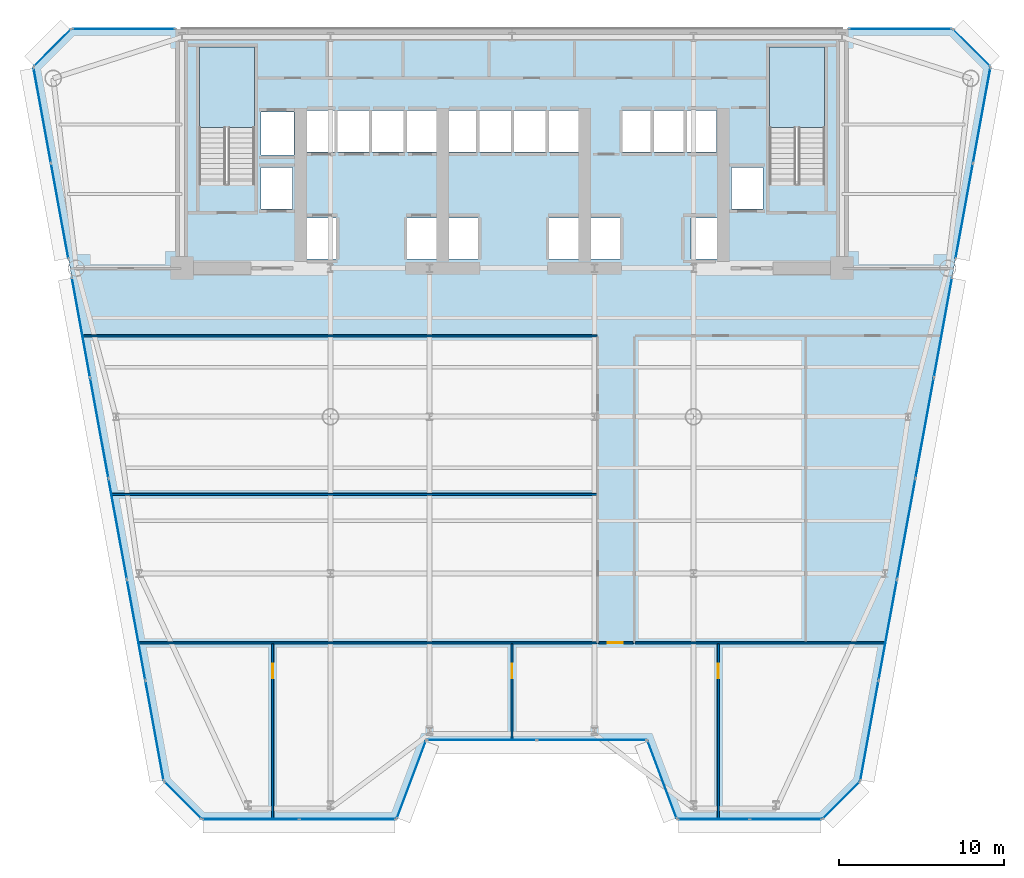
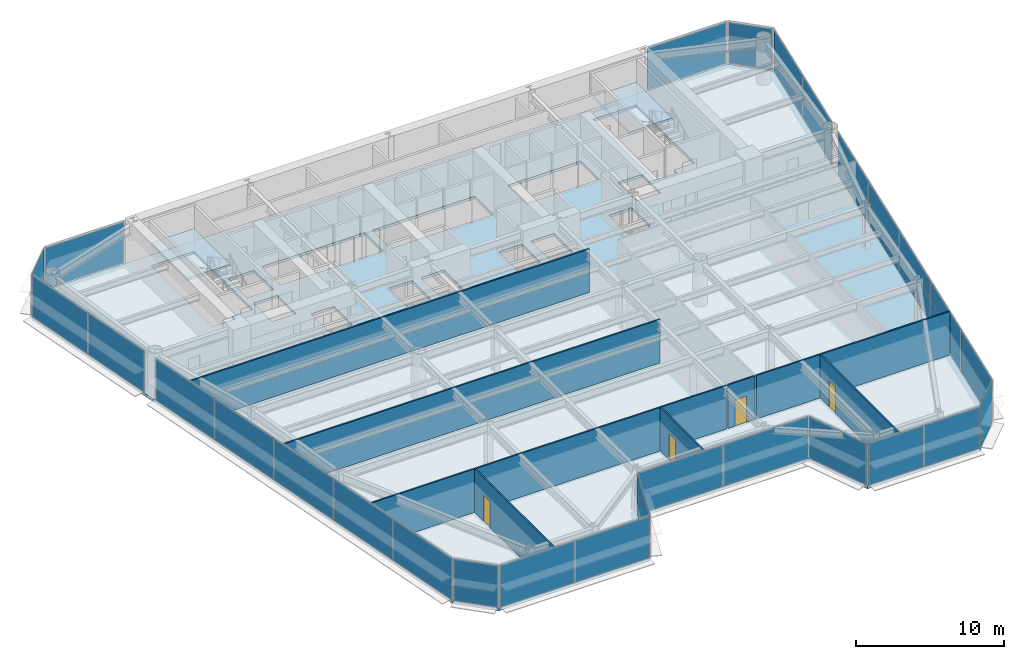
# One storey, part 8 of 15: 28 plates, 8 walls, 4 doors, 3 slabs, 4 openings, 17 elements without a shape of their own.
"""IFC4 building model written with IfcOpenShell, lengths in metres."""

from ifc_helpers import new_model, si_unit, direction, frame, frame_2d, origin, origin_2d, place, context, subcontext, project, spatial, polyline, rectangle, outline, extrude, source, transform, mapped, material, layer, layer_set, type_object, element, fill, aggregate, save


model = new_model("IFC4")

# Units and contexts
model_context = context("Model", 3, precision=1e-05, world=origin(), true_north=direction((0.0, 1.0)))
body_context = subcontext(model_context, "Body", "Model", "MODEL_VIEW")
ifc_project = project(units=[si_unit("LENGTHUNIT", "METRE"), si_unit("AREAUNIT", "SQUARE_METRE"), si_unit("VOLUMEUNIT", "CUBIC_METRE"), si_unit("PLANEANGLEUNIT", "RADIAN"), si_unit("MASSUNIT", "GRAM", prefix="KILO")], contexts=[model_context])

# Site, building, storey
site_placement = place(None, origin())
site = spatial("IfcSite", under=ifc_project, at=site_placement, CompositionType="ELEMENT")
building_placement = place(site_placement, origin())
building = spatial("IfcBuilding", under=site, at=building_placement, Name="Vaeldorn Concourse Tower", CompositionType="ELEMENT")
storey_placement = place(building_placement, frame((0.0, 0.0, 95.800048828125)))
storey = spatial("IfcBuildingStorey", under=building, at=storey_placement, Name="L24", CompositionType="ELEMENT", Elevation=95.800048828125)

# Stair, slab
ifc_material_1 = material(Name="Precast concrete C40/50", Category="concrete")
stair_type = type_object("IfcStairType", Name="STR-DOG-24x158", PredefinedType="HALF_TURN_STAIR", material=ifc_material_1)
stair_1_placement = place(storey_placement, origin())
stair_1 = element("IfcStair", 1, at=stair_1_placement, inside=storey, type_object=stair_type, Name="L24 West Core Exit Stair ST-1", PredefinedType="HALF_TURN_STAIR")
ifc_material_2 = material(Name="Concrete C40/50", Category="concrete")
ifc_layer_1 = layer(ifc_material_2, 0.199951171875)
ifc_layer_set_1 = layer_set([ifc_layer_1], Name="Concrete C40/50")
slab_type_1 = type_object("IfcSlabType", Name="SL-STAIR-LANDING", PredefinedType="LANDING", material=ifc_layer_set_1)
slab_1_placement = place(storey_placement, frame((0.0, 0.0, 1.699951171875)))
slab_1 = element("IfcSlab", 2, at=slab_1_placement, type_object=slab_type_1, Name="ST-1 landing 1", PredefinedType="LANDING", context=body_context, shape_type="SweptSolid", body=[
    extrude(outline(polyline([(18.39990234375, 45.010009765625), (18.39990234375, 49.89990234375), (15.050048828125, 49.89990234375), (15.050048828125, 45.010009765625), (18.39990234375, 45.010009765625)])), origin(), (0.0, 0.0, 1.0), 0.199951171875),
])
aggregate(stair_1, [slab_1])

stair_2_placement = place(storey_placement, origin())
stair_2 = element("IfcStair", 3, at=stair_2_placement, inside=storey, type_object=stair_type, Name="L24 East Core Exit Stair ST-2", PredefinedType="HALF_TURN_STAIR")
slab_2_placement = place(storey_placement, frame((0.0, 0.0, 1.699951171875)))
slab_2 = element("IfcSlab", 4, at=slab_2_placement, type_object=slab_type_1, Name="ST-2 landing 1", PredefinedType="LANDING", context=body_context, shape_type="SweptSolid", body=[
    extrude(outline(polyline([(52.949951171875, 45.010009765625), (52.949951171875, 49.89990234375), (49.60009765625, 49.89990234375), (49.60009765625, 45.010009765625), (52.949951171875, 45.010009765625)])), origin(), (0.0, 0.0, 1.0), 0.199951171875),
])
aggregate(stair_2, [slab_2])

# Slab
ifc_layer_2 = layer(ifc_material_2, 0.219970703125)
ifc_layer_set_2 = layer_set([ifc_layer_2], Name="Concrete C40/50")
slab_type_2 = type_object("IfcSlabType", Name="SL-TYP-220", PredefinedType="FLOOR", material=ifc_layer_set_2)
slab_3_placement = place(storey_placement, frame((0.0, 0.0, -0.219970703125)))
element("IfcSlab", 5, at=slab_3_placement, inside=storey, type_object=slab_type_2, Name="Structural Floor Slab L24", PredefinedType="FLOOR", context=body_context, shape_type="SweptSolid", body=[
    extrude(outline(polyline([(15.2021484375, 3.10791015625), (27.0, 3.10791015625), (28.800048828125, 7.907958984375), (42.199951171875, 7.907958984375), (44.0, 3.10791015625), (52.7978515625, 3.10791015625), (55.097900390625, 5.407958984375), (63.0, 48.699951171875), (60.699951171875, 51.0), (7.300048828125, 51.0), (5.0, 48.699951171875), (12.902099609375, 5.407958984375), (15.2021484375, 3.10791015625)]), holes=[polyline([(18.39990234375, 42.0), (18.39990234375, 49.89990234375), (15.050048828125, 49.89990234375), (15.050048828125, 41.60009765625), (16.800048828125, 41.60009765625), (16.800048828125, 42.0), (18.39990234375, 42.0)]), polyline([(52.949951171875, 42.0), (52.949951171875, 49.89990234375), (49.60009765625, 49.89990234375), (49.60009765625, 41.60009765625), (51.35009765625, 41.60009765625), (51.35009765625, 42.0), (52.949951171875, 42.0)]), polyline([(21.550048828125, 37.050048828125), (23.35009765625, 37.050048828125), (23.35009765625, 39.550048828125), (21.550048828125, 39.550048828125), (21.550048828125, 37.050048828125)]), polyline([(27.64990234375, 37.050048828125), (29.449951171875, 37.050048828125), (29.449951171875, 39.550048828125), (27.64990234375, 39.550048828125), (27.64990234375, 37.050048828125)]), polyline([(21.5, 43.550048828125), (29.5, 43.550048828125), (29.5, 46.050048828125), (21.5, 46.050048828125), (21.5, 43.550048828125)]), polyline([(30.14990234375, 37.050048828125), (31.949951171875, 37.050048828125), (31.949951171875, 39.550048828125), (30.14990234375, 39.550048828125), (30.14990234375, 37.050048828125)]), polyline([(36.25, 37.050048828125), (38.050048828125, 37.050048828125), (38.050048828125, 39.550048828125), (36.25, 39.550048828125), (36.25, 37.050048828125)]), polyline([(30.10009765625, 43.550048828125), (38.10009765625, 43.550048828125), (38.10009765625, 46.050048828125), (30.10009765625, 46.050048828125), (30.10009765625, 43.550048828125)]), polyline([(38.75, 37.050048828125), (40.550048828125, 37.050048828125), (40.550048828125, 39.550048828125), (38.75, 39.550048828125), (38.75, 37.050048828125)]), polyline([(44.85009765625, 37.050048828125), (46.64990234375, 37.050048828125), (46.64990234375, 39.550048828125), (44.85009765625, 39.550048828125), (44.85009765625, 37.050048828125)]), polyline([(40.699951171875, 43.550048828125), (46.39990234375, 43.550048828125), (46.39990234375, 46.050048828125), (40.699951171875, 46.050048828125), (40.699951171875, 43.550048828125)]), polyline([(18.800048828125, 43.35009765625), (20.800048828125, 43.35009765625), (20.800048828125, 45.949951171875), (18.800048828125, 45.949951171875), (18.800048828125, 43.35009765625)]), polyline([(18.800048828125, 40.10009765625), (20.699951171875, 40.10009765625), (20.699951171875, 42.60009765625), (18.800048828125, 42.60009765625), (18.800048828125, 40.10009765625)]), polyline([(47.300048828125, 40.10009765625), (49.199951171875, 40.10009765625), (49.199951171875, 42.60009765625), (47.300048828125, 42.60009765625), (47.300048828125, 40.10009765625)])]), origin(), (0.0, 0.0, 1.0), 0.219970703125),
])

# Curtain wall, plate
ifc_material_3 = material(Name="Anodised Bronze Aluminium", Category="aluminium")
ifc_layer_3 = layer(ifc_material_3, 0.199951171875)
ifc_layer_set_3 = layer_set([ifc_layer_3], Name="Anodised Bronze Aluminium")
curtain_wall_type = type_object("IfcCurtainWallType", Name="CW-SYS-02", PredefinedType="NOTDEFINED", material=ifc_layer_set_3)
curtain_wall_1_placement = place(storey_placement, origin())
curtain_wall_1 = element("IfcCurtainWall", 6, at=curtain_wall_1_placement, inside=storey, type_object=curtain_wall_type, Name="Unitised Curtain Wall CW-L24-E02-1", PredefinedType="NOTDEFINED")
ifc_material_4 = material(Name="Bronze Tinted Low-E Insulated Glass", Category="glass")
ifc_layer_4 = layer(ifc_material_4, 0.031982421875)
ifc_layer_set_4 = layer_set([ifc_layer_4], Name="Bronze Tinted Low-E Insulated Glass")
plate_type = type_object("IfcPlateType", Name="CWP-VISION-32", PredefinedType="CURTAIN_PANEL", material=ifc_layer_set_4)
shared_shape_1 = source(origin(), body_context, "Body", "SweptSolid", [
    extrude(rectangle(XDim=4.976318359375, YDim=0.031982421875, at=origin_2d()), origin(), (0.0, 0.0, 1.0), 3.429931640625),
])
plate_1_placement = place(storey_placement, frame((27.89990234375, 5.508056640625, 0.0751953125), z_axis=(0.0, 0.0, 1.0), x_axis=(0.351123441595, 0.936329177566, 0.0)))
plate_1 = element("IfcPlate", 7, at=plate_1_placement, type_object=plate_type, Name="CW-02 panel 1.1", PredefinedType="CURTAIN_PANEL", context=body_context, shape_type="MappedRepresentation", body=[
    mapped(shared_shape_1, transform((0.0, 0.0, 0.0), scale=1.0)),
])
aggregate(curtain_wall_1, [plate_1])

curtain_wall_2_placement = place(storey_placement, origin())
curtain_wall_2 = element("IfcCurtainWall", 8, at=curtain_wall_2_placement, inside=storey, type_object=curtain_wall_type, Name="Unitised Curtain Wall CW-L24-E04-1", PredefinedType="NOTDEFINED")
plate_2_placement = place(storey_placement, frame((43.10009765625, 5.508056640625, 0.0751953125), z_axis=(0.0, 0.0, 1.0), x_axis=(0.351123441595, -0.936329177566, 0.0)))
plate_2 = element("IfcPlate", 9, at=plate_2_placement, type_object=plate_type, Name="CW-02 panel 1.1", PredefinedType="CURTAIN_PANEL", context=body_context, shape_type="MappedRepresentation", body=[
    mapped(shared_shape_1, transform((0.0, 0.0, 0.0), scale=1.0)),
])
aggregate(curtain_wall_2, [plate_2])

# Curtain wall, plates
curtain_wall_3_placement = place(storey_placement, origin())
curtain_wall_3 = element("IfcCurtainWall", 10, at=curtain_wall_3_placement, inside=storey, type_object=curtain_wall_type, Name="Unitised Curtain Wall CW-L24-E03-1", PredefinedType="NOTDEFINED")
shared_shape_2 = source(origin(), body_context, "Body", "SweptSolid", [
    extrude(rectangle(XDim=6.58740234375, YDim=0.031982421875, at=origin_2d()), origin(), (0.0, 0.0, 1.0), 3.429931640625),
])
plate_3_placement = place(storey_placement, frame((32.168701171875, 7.907958984375, 0.0751953125), z_axis=(0.0, 0.0, 1.0), x_axis=(1.0, 0.0, 0.0)))
plate_3 = element("IfcPlate", 11, at=plate_3_placement, type_object=plate_type, Name="CW-02 panel 1.1", PredefinedType="CURTAIN_PANEL", context=body_context, shape_type="MappedRepresentation", body=[
    mapped(shared_shape_2, transform((0.0, 0.0, 0.0), scale=1.0)),
])
plate_4_placement = place(storey_placement, frame((38.831298828125, 7.907958984375, 0.0751953125), z_axis=(0.0, 0.0, 1.0), x_axis=(1.0, 0.0, 0.0)))
plate_4 = element("IfcPlate", 12, at=plate_4_placement, type_object=plate_type, Name="CW-02 panel 2.1", PredefinedType="CURTAIN_PANEL", context=body_context, shape_type="MappedRepresentation", body=[
    mapped(shared_shape_2, transform((0.0, 0.0, 0.0), scale=1.0)),
])
aggregate(curtain_wall_3, [plate_3, plate_4])

# Curtain wall, plate
curtain_wall_4_placement = place(storey_placement, origin())
curtain_wall_4 = element("IfcCurtainWall", 13, at=curtain_wall_4_placement, inside=storey, type_object=curtain_wall_type, Name="Unitised Curtain Wall CW-L24-E06-1", PredefinedType="NOTDEFINED")
shared_shape_3 = source(origin(), body_context, "Body", "SweptSolid", [
    extrude(rectangle(XDim=3.102783203125, YDim=0.031982421875, at=origin_2d()), origin(), (0.0, 0.0, 1.0), 3.429931640625),
])
plate_5_placement = place(storey_placement, frame((53.94775390625, 4.258056640625, 0.0751953125), z_axis=(0.0, 0.0, 1.0), x_axis=(0.707106781187, 0.707106781187, 0.0)))
plate_5 = element("IfcPlate", 14, at=plate_5_placement, type_object=plate_type, Name="CW-02 panel 1.1", PredefinedType="CURTAIN_PANEL", context=body_context, shape_type="MappedRepresentation", body=[
    mapped(shared_shape_3, transform((0.0, 0.0, 0.0), scale=1.0)),
])
aggregate(curtain_wall_4, [plate_5])

curtain_wall_5_placement = place(storey_placement, origin())
curtain_wall_5 = element("IfcCurtainWall", 15, at=curtain_wall_5_placement, inside=storey, type_object=curtain_wall_type, Name="Unitised Curtain Wall CW-L24-E08-1", PredefinedType="NOTDEFINED")
plate_6_placement = place(storey_placement, frame((61.85009765625, 49.85009765625, 0.0751953125), z_axis=(0.0, 0.0, 1.0), x_axis=(-0.707106781187, 0.707106781187, 0.0)))
plate_6 = element("IfcPlate", 16, at=plate_6_placement, type_object=plate_type, Name="CW-02 panel 1.1", PredefinedType="CURTAIN_PANEL", context=body_context, shape_type="MappedRepresentation", body=[
    mapped(shared_shape_3, transform((0.0, 0.0, 0.0), scale=1.0)),
])
aggregate(curtain_wall_5, [plate_6])

curtain_wall_6_placement = place(storey_placement, origin())
curtain_wall_6 = element("IfcCurtainWall", 17, at=curtain_wall_6_placement, inside=storey, type_object=curtain_wall_type, Name="Unitised Curtain Wall CW-L24-E10-1", PredefinedType="NOTDEFINED")
plate_7_placement = place(storey_placement, frame((6.14990234375, 49.85009765625, 0.0751953125), z_axis=(0.0, 0.0, 1.0), x_axis=(-0.707106781187, -0.707106781187, 0.0)))
plate_7 = element("IfcPlate", 18, at=plate_7_placement, type_object=plate_type, Name="CW-02 panel 1.1", PredefinedType="CURTAIN_PANEL", context=body_context, shape_type="MappedRepresentation", body=[
    mapped(shared_shape_3, transform((0.0, 0.0, 0.0), scale=1.0)),
])
aggregate(curtain_wall_6, [plate_7])

curtain_wall_7_placement = place(storey_placement, origin())
curtain_wall_7 = element("IfcCurtainWall", 19, at=curtain_wall_7_placement, inside=storey, type_object=curtain_wall_type, Name="Unitised Curtain Wall CW-L24-E12-1", PredefinedType="NOTDEFINED")
plate_8_placement = place(storey_placement, frame((14.05224609375, 4.258056640625, 0.0751953125), z_axis=(0.0, 0.0, 1.0), x_axis=(0.707106781187, -0.707106781187, 0.0)))
plate_8 = element("IfcPlate", 20, at=plate_8_placement, type_object=plate_type, Name="CW-02 panel 1.1", PredefinedType="CURTAIN_PANEL", context=body_context, shape_type="MappedRepresentation", body=[
    mapped(shared_shape_3, transform((0.0, 0.0, 0.0), scale=1.0)),
])
aggregate(curtain_wall_7, [plate_8])

# Curtain wall, plates
curtain_wall_8_placement = place(storey_placement, origin())
curtain_wall_8 = element("IfcCurtainWall", 21, at=curtain_wall_8_placement, inside=storey, type_object=curtain_wall_type, Name="Unitised Curtain Wall CW-L24-E01-1", PredefinedType="NOTDEFINED")
shared_shape_4 = source(origin(), body_context, "Body", "SweptSolid", [
    extrude(rectangle(XDim=5.786376953125, YDim=0.031982421875, at=origin_2d()), origin(), (0.0, 0.0, 1.0), 3.429931640625),
])
plate_9_placement = place(storey_placement, frame((18.17041015625, 3.10791015625, 0.0751953125), z_axis=(0.0, 0.0, 1.0), x_axis=(1.0, 0.0, 0.0)))
plate_9 = element("IfcPlate", 22, at=plate_9_placement, type_object=plate_type, Name="CW-02 panel 1.1", PredefinedType="CURTAIN_PANEL", context=body_context, shape_type="MappedRepresentation", body=[
    mapped(shared_shape_4, transform((0.0, 0.0, 0.0), scale=1.0)),
])
plate_10_placement = place(storey_placement, frame((24.03173828125, 3.10791015625, 0.0751953125), z_axis=(0.0, 0.0, 1.0), x_axis=(1.0, 0.0, 0.0)))
plate_10 = element("IfcPlate", 23, at=plate_10_placement, type_object=plate_type, Name="CW-02 panel 2.1", PredefinedType="CURTAIN_PANEL", context=body_context, shape_type="MappedRepresentation", body=[
    mapped(shared_shape_4, transform((0.0, 0.0, 0.0), scale=1.0)),
])
aggregate(curtain_wall_8, [plate_9, plate_10])

curtain_wall_9_placement = place(storey_placement, origin())
curtain_wall_9 = element("IfcCurtainWall", 24, at=curtain_wall_9_placement, inside=storey, type_object=curtain_wall_type, Name="Unitised Curtain Wall CW-L24-E05-1", PredefinedType="NOTDEFINED")
shared_shape_5 = source(origin(), body_context, "Body", "SweptSolid", [
    extrude(rectangle(XDim=4.286376953125, YDim=0.031982421875, at=origin_2d()), origin(), (0.0, 0.0, 1.0), 3.429931640625),
])
plate_11_placement = place(storey_placement, frame((46.21826171875, 3.10791015625, 0.0751953125), z_axis=(0.0, 0.0, 1.0), x_axis=(1.0, 0.0, 0.0)))
plate_11 = element("IfcPlate", 25, at=plate_11_placement, type_object=plate_type, Name="CW-02 panel 1.1", PredefinedType="CURTAIN_PANEL", context=body_context, shape_type="MappedRepresentation", body=[
    mapped(shared_shape_5, transform((0.0, 0.0, 0.0), scale=1.0)),
])
plate_12_placement = place(storey_placement, frame((50.57958984375, 3.10791015625, 0.0751953125), z_axis=(0.0, 0.0, 1.0), x_axis=(1.0, 0.0, 0.0)))
plate_12 = element("IfcPlate", 26, at=plate_12_placement, type_object=plate_type, Name="CW-02 panel 2.1", PredefinedType="CURTAIN_PANEL", context=body_context, shape_type="MappedRepresentation", body=[
    mapped(shared_shape_5, transform((0.0, 0.0, 0.0), scale=1.0)),
])
aggregate(curtain_wall_9, [plate_11, plate_12])

# Curtain wall, plate
curtain_wall_10_placement = place(storey_placement, origin())
curtain_wall_10 = element("IfcCurtainWall", 27, at=curtain_wall_10_placement, inside=storey, type_object=curtain_wall_type, Name="Unitised Curtain Wall CW-L24-E09-1", PredefinedType="NOTDEFINED")
shared_shape_6 = source(origin(), body_context, "Body", "SweptSolid", [
    extrude(rectangle(XDim=6.179931640625, YDim=0.031982421875, at=origin_2d()), origin(), (0.0, 0.0, 1.0), 3.429931640625),
])
plate_13_placement = place(storey_placement, frame((57.534912109375, 51.0, 0.0751953125), z_axis=(0.0, 0.0, 1.0), x_axis=(-1.0, 0.0, 0.0)))
plate_13 = element("IfcPlate", 28, at=plate_13_placement, type_object=plate_type, Name="CW-02 panel 1.1", PredefinedType="CURTAIN_PANEL", context=body_context, shape_type="MappedRepresentation", body=[
    mapped(shared_shape_6, transform((0.0, 0.0, 0.0), scale=1.0)),
])
aggregate(curtain_wall_10, [plate_13])

curtain_wall_11_placement = place(storey_placement, origin())
curtain_wall_11 = element("IfcCurtainWall", 29, at=curtain_wall_11_placement, inside=storey, type_object=curtain_wall_type, Name="Unitised Curtain Wall CW-L24-E09-2", PredefinedType="NOTDEFINED")
plate_14_placement = place(storey_placement, frame((10.465087890625, 51.0, 0.0751953125), z_axis=(0.0, 0.0, 1.0), x_axis=(-1.0, 0.0, 0.0)))
plate_14 = element("IfcPlate", 30, at=plate_14_placement, type_object=plate_type, Name="CW-02 panel 1.1", PredefinedType="CURTAIN_PANEL", context=body_context, shape_type="MappedRepresentation", body=[
    mapped(shared_shape_6, transform((0.0, 0.0, 0.0), scale=1.0)),
])
aggregate(curtain_wall_11, [plate_14])

# Curtain wall, plates
curtain_wall_12_placement = place(storey_placement, origin())
curtain_wall_12 = element("IfcCurtainWall", 31, at=curtain_wall_12_placement, inside=storey, type_object=curtain_wall_type, Name="Unitised Curtain Wall CW-L24-E07-1", PredefinedType="NOTDEFINED")
shared_shape_7 = source(origin(), body_context, "Body", "SweptSolid", [
    extrude(rectangle(XDim=6.103271484375, YDim=0.031982421875, at=origin_2d()), origin(), (0.0, 0.0, 1.0), 3.429931640625),
])
plate_15_placement = place(storey_placement, frame((55.6591796875, 8.48388671875, 0.0751953125), z_axis=(0.0, 0.0, 1.0), x_axis=(0.179567215253, 0.983745706576, 0.0)))
plate_15 = element("IfcPlate", 32, at=plate_15_placement, type_object=plate_type, Name="CW-02 panel 1.1", PredefinedType="CURTAIN_PANEL", context=body_context, shape_type="MappedRepresentation", body=[
    mapped(shared_shape_7, transform((0.0, 0.0, 0.0), scale=1.0)),
])
plate_16_placement = place(storey_placement, frame((60.1171875, 32.90625, 0.0751953125), z_axis=(0.0, 0.0, 1.0), x_axis=(0.179567215253, 0.983745706576, 0.0)))
plate_16 = element("IfcPlate", 33, at=plate_16_placement, type_object=plate_type, Name="CW-02 panel 5.1", PredefinedType="CURTAIN_PANEL", context=body_context, shape_type="MappedRepresentation", body=[
    mapped(shared_shape_7, transform((0.0, 0.0, 0.0), scale=1.0)),
])

curtain_wall_13_placement = place(storey_placement, origin())
curtain_wall_13 = element("IfcCurtainWall", 34, at=curtain_wall_13_placement, inside=storey, type_object=curtain_wall_type, Name="Unitised Curtain Wall CW-L24-E11-2", PredefinedType="NOTDEFINED")
plate_17_placement = place(storey_placement, frame((7.8828125, 32.90625, 0.0751953125), z_axis=(0.0, 0.0, 1.0), x_axis=(0.179567215253, -0.983745706576, 0.0)))
plate_17 = element("IfcPlate", 35, at=plate_17_placement, type_object=plate_type, Name="CW-02 panel 1.1", PredefinedType="CURTAIN_PANEL", context=body_context, shape_type="MappedRepresentation", body=[
    mapped(shared_shape_7, transform((0.0, 0.0, 0.0), scale=1.0)),
])
plate_18_placement = place(storey_placement, frame((12.3408203125, 8.48388671875, 0.0751953125), z_axis=(0.0, 0.0, 1.0), x_axis=(0.179567215253, -0.983745706576, 0.0)))
plate_18 = element("IfcPlate", 36, at=plate_18_placement, type_object=plate_type, Name="CW-02 panel 5.1", PredefinedType="CURTAIN_PANEL", context=body_context, shape_type="MappedRepresentation", body=[
    mapped(shared_shape_7, transform((0.0, 0.0, 0.0), scale=1.0)),
])

# Plate
shared_shape_8 = source(origin(), body_context, "Body", "SweptSolid", [
    extrude(rectangle(XDim=6.140869140625, YDim=0.031982421875, at=origin_2d()), origin(), (0.0, 0.0, 1.0), 3.429931640625),
])
plate_19_placement = place(storey_placement, frame((56.77197265625, 14.580078125, 0.0751953125), z_axis=(0.0, 0.0, 1.0), x_axis=(0.179567215253, 0.983745706576, 0.0)))
plate_19 = element("IfcPlate", 37, at=plate_19_placement, type_object=plate_type, Name="CW-02 panel 2.1", PredefinedType="CURTAIN_PANEL", context=body_context, shape_type="MappedRepresentation", body=[
    mapped(shared_shape_8, transform((0.0, 0.0, 0.0), scale=1.0)),
])

plate_20_placement = place(storey_placement, frame((57.88818359375, 20.695068359375, 0.0751953125), z_axis=(0.0, 0.0, 1.0), x_axis=(0.179567215253, 0.983745706576, 0.0)))
plate_20 = element("IfcPlate", 38, at=plate_20_placement, type_object=plate_type, Name="CW-02 panel 3.1", PredefinedType="CURTAIN_PANEL", context=body_context, shape_type="MappedRepresentation", body=[
    mapped(shared_shape_8, transform((0.0, 0.0, 0.0), scale=1.0)),
])

plate_21_placement = place(storey_placement, frame((59.00439453125, 26.809814453125, 0.0751953125), z_axis=(0.0, 0.0, 1.0), x_axis=(0.179567215253, 0.983745706576, 0.0)))
plate_21 = element("IfcPlate", 39, at=plate_21_placement, type_object=plate_type, Name="CW-02 panel 4.1", PredefinedType="CURTAIN_PANEL", context=body_context, shape_type="MappedRepresentation", body=[
    mapped(shared_shape_8, transform((0.0, 0.0, 0.0), scale=1.0)),
])

aggregate(curtain_wall_12, [plate_15, plate_19, plate_20, plate_21, plate_16])

plate_22_placement = place(storey_placement, frame((8.99560546875, 26.809814453125, 0.0751953125), z_axis=(0.0, 0.0, 1.0), x_axis=(0.179567215253, -0.983745706576, 0.0)))
plate_22 = element("IfcPlate", 40, at=plate_22_placement, type_object=plate_type, Name="CW-02 panel 2.1", PredefinedType="CURTAIN_PANEL", context=body_context, shape_type="MappedRepresentation", body=[
    mapped(shared_shape_8, transform((0.0, 0.0, 0.0), scale=1.0)),
])

plate_23_placement = place(storey_placement, frame((10.11181640625, 20.695068359375, 0.0751953125), z_axis=(0.0, 0.0, 1.0), x_axis=(0.179567215253, -0.983745706576, 0.0)))
plate_23 = element("IfcPlate", 41, at=plate_23_placement, type_object=plate_type, Name="CW-02 panel 3.1", PredefinedType="CURTAIN_PANEL", context=body_context, shape_type="MappedRepresentation", body=[
    mapped(shared_shape_8, transform((0.0, 0.0, 0.0), scale=1.0)),
])

plate_24_placement = place(storey_placement, frame((11.22802734375, 14.580078125, 0.0751953125), z_axis=(0.0, 0.0, 1.0), x_axis=(0.179567215253, -0.983745706576, 0.0)))
plate_24 = element("IfcPlate", 42, at=plate_24_placement, type_object=plate_type, Name="CW-02 panel 4.1", PredefinedType="CURTAIN_PANEL", context=body_context, shape_type="MappedRepresentation", body=[
    mapped(shared_shape_8, transform((0.0, 0.0, 0.0), scale=1.0)),
])

aggregate(curtain_wall_13, [plate_17, plate_22, plate_23, plate_24, plate_18])

# Curtain wall, plates
curtain_wall_14_placement = place(storey_placement, origin())
curtain_wall_14 = element("IfcCurtainWall", 43, at=curtain_wall_14_placement, inside=storey, type_object=curtain_wall_type, Name="Unitised Curtain Wall CW-L24-E07-2", PredefinedType="NOTDEFINED")
shared_shape_9 = source(origin(), body_context, "Body", "SweptSolid", [
    extrude(rectangle(XDim=5.824951171875, YDim=0.031982421875, at=origin_2d()), origin(), (0.0, 0.0, 1.0), 3.429931640625),
])
plate_25_placement = place(storey_placement, frame((61.404052734375, 39.95703125, 0.0751953125), z_axis=(0.0, 0.0, 1.0), x_axis=(0.179561976462, 0.98374666282, 0.0)))
plate_25 = element("IfcPlate", 44, at=plate_25_placement, type_object=plate_type, Name="CW-02 panel 1.1", PredefinedType="CURTAIN_PANEL", context=body_context, shape_type="MappedRepresentation", body=[
    mapped(shared_shape_9, transform((0.0, 0.0, 0.0), scale=1.0)),
])
plate_26_placement = place(storey_placement, frame((62.463623046875, 45.760986328125, 0.0751953125), z_axis=(0.0, 0.0, 1.0), x_axis=(0.179561976462, 0.98374666282, 0.0)))
plate_26 = element("IfcPlate", 45, at=plate_26_placement, type_object=plate_type, Name="CW-02 panel 2.1", PredefinedType="CURTAIN_PANEL", context=body_context, shape_type="MappedRepresentation", body=[
    mapped(shared_shape_9, transform((0.0, 0.0, 0.0), scale=1.0)),
])
aggregate(curtain_wall_14, [plate_25, plate_26])

curtain_wall_15_placement = place(storey_placement, origin())
curtain_wall_15 = element("IfcCurtainWall", 46, at=curtain_wall_15_placement, inside=storey, type_object=curtain_wall_type, Name="Unitised Curtain Wall CW-L24-E11-1", PredefinedType="NOTDEFINED")
plate_27_placement = place(storey_placement, frame((5.536376953125, 45.760986328125, 0.0751953125), z_axis=(0.0, 0.0, 1.0), x_axis=(0.179561976462, -0.98374666282, 0.0)))
plate_27 = element("IfcPlate", 47, at=plate_27_placement, type_object=plate_type, Name="CW-02 panel 1.1", PredefinedType="CURTAIN_PANEL", context=body_context, shape_type="MappedRepresentation", body=[
    mapped(shared_shape_9, transform((0.0, 0.0, 0.0), scale=1.0)),
])
plate_28_placement = place(storey_placement, frame((6.595947265625, 39.95703125, 0.0751953125), z_axis=(0.0, 0.0, 1.0), x_axis=(0.179561976462, -0.98374666282, 0.0)))
plate_28 = element("IfcPlate", 48, at=plate_28_placement, type_object=plate_type, Name="CW-02 panel 2.1", PredefinedType="CURTAIN_PANEL", context=body_context, shape_type="MappedRepresentation", body=[
    mapped(shared_shape_9, transform((0.0, 0.0, 0.0), scale=1.0)),
])
aggregate(curtain_wall_15, [plate_27, plate_28])

# Wall
ifc_material_5 = material(Name="Gypsum Board Partition", Category="gypsum")
ifc_layer_5 = layer(ifc_material_5, 0.1201171875)
ifc_layer_set_5 = layer_set([ifc_layer_5], Name="Gypsum Board Partition")
wall_type = type_object("IfcWallType", Name="WL-PART-120", PredefinedType="PARTITIONING", material=ifc_layer_set_5)
wall_1_placement = place(storey_placement, frame((8.015380859375, 32.39990234375, 0.0), z_axis=(0.0, 0.0, 1.0), x_axis=(1.0, 0.0, 0.0)))
element("IfcWall", 49, at=wall_1_placement, inside=storey, type_object=wall_type, Name="Interior Wall PW-L24-C2SW", PredefinedType="PARTITIONING", context=body_context, shape_type="SweptSolid", body=[
    extrude(rectangle(XDim=31.12451171875, YDim=0.1201171875, at=frame_2d((15.562255859375, 0.0))), origin(), (0.0, 0.0, 1.0), 3.579833984375),
])

# Wall, opening, door
wall_2_placement = place(storey_placement, frame((39.260009765625, 13.800048828125, 0.0), z_axis=(0.0, 0.0, 1.0), x_axis=(1.0, 0.0, 0.0)))
wall_2 = element("IfcWall", 50, at=wall_2_placement, inside=storey, type_object=wall_type, Name="Interior Wall PW-L24-SP2S", PredefinedType="PARTITIONING", context=body_context, shape_type="SweptSolid", body=[
    extrude(rectangle(XDim=2.080078125, YDim=0.1201171875, at=frame_2d((1.0400390625, 0.0))), origin(), (0.0, 0.0, 1.0), 3.579833984375),
])
opening_1_placement = place(wall_2_placement, frame((0.550048828125, 0.0, 0.0)))
opening_1 = element("IfcOpeningElement", 51, at=opening_1_placement, cuts=wall_2, Name="Opening D-03", PredefinedType="OPENING", context=body_context, shape_type="SweptSolid", body=[
    extrude(rectangle(XDim=0.89990234375, YDim=2.14990234375, at=frame_2d((0.449951171875, 1.074951171875))), frame((0.0, 0.070068359375, 0.0), z_axis=(0.0, -1.0, 0.0), x_axis=(1.0, 0.0, 0.0)), (0.0, 0.0, 1.0), 0.14013671875),
])
ifc_material_6 = material(Name="Acoustic Bronze-Framed Glass Door", Category="glass")
door_type = type_object("IfcDoorType", Name="DR-INT-900", OperationType="NOTDEFINED", PredefinedType="DOOR", material=ifc_material_6)
shared_shape_10 = source(origin(), body_context, "Body", "SweptSolid", [
    extrude(rectangle(XDim=0.89990234375, YDim=2.14990234375, at=frame_2d((0.449951171875, 1.074951171875))), frame((0.0, 0.02490234375, 0.0), z_axis=(0.0, -1.0, 0.0), x_axis=(1.0, 0.0, 0.0)), (0.0, 0.0, 1.0), 0.050048828125),
])
door_1_placement = place(opening_1_placement, origin())
door_1 = element("IfcDoor", 52, at=door_1_placement, inside=storey, type_object=door_type, Name="Interior Door DR-L24-Z2SFM", OperationType="SINGLE_SWING_LEFT", OverallHeight=2.14990234375, OverallWidth=0.89990234375, PredefinedType="DOOR", context=body_context, shape_type="MappedRepresentation", body=[
    mapped(shared_shape_10, transform((0.0, 0.0, 0.0), scale=1.0)),
])
fill(opening_1, door_1)

# Walls
wall_3_placement = place(storey_placement, frame((11.410400390625, 13.800048828125, 0.0), z_axis=(0.0, 0.0, 1.0), x_axis=(1.0, 0.0, 0.0)))
element("IfcWall", 53, at=wall_3_placement, inside=storey, type_object=wall_type, Name="Interior Wall PW-L24-S2WL", PredefinedType="PARTITIONING", context=body_context, shape_type="SweptSolid", body=[
    extrude(rectangle(XDim=27.7294921875, YDim=0.1201171875, at=frame_2d((13.86474609375, 0.0))), origin(), (0.0, 0.0, 1.0), 3.579833984375),
])
wall_4_placement = place(storey_placement, frame((41.4599609375, 13.800048828125, 0.0), z_axis=(0.0, 0.0, 1.0), x_axis=(1.0, 0.0, 0.0)))
element("IfcWall", 54, at=wall_4_placement, inside=storey, type_object=wall_type, Name="Interior Wall PW-L24-S2EL", PredefinedType="PARTITIONING", context=body_context, shape_type="SweptSolid", body=[
    extrude(rectangle(XDim=15.129638671875, YDim=0.1201171875, at=frame_2d((7.56494140625, 0.0))), origin(), (0.0, 0.0, 1.0), 3.579833984375),
])

# Wall, opening, door
wall_5_placement = place(storey_placement, frame((19.5, 3.14794921875, 0.0), z_axis=(0.0, 0.0, 1.0), x_axis=(0.0, 1.0, 0.0)))
wall_5 = element("IfcWall", 55, at=wall_5_placement, inside=storey, type_object=wall_type, Name="Interior Wall PW-L24-Z2SFX1", PredefinedType="PARTITIONING", context=body_context, shape_type="SweptSolid", body=[
    extrude(rectangle(XDim=10.592041015625, YDim=0.1201171875, at=frame_2d((5.2958984375, 0.0))), origin(), (0.0, 0.0, 1.0), 3.579833984375),
])
opening_2_placement = place(wall_5_placement, frame((8.491943359375, 0.0, 0.0)))
opening_2 = element("IfcOpeningElement", 56, at=opening_2_placement, cuts=wall_5, Name="Opening D-03", PredefinedType="OPENING", context=body_context, shape_type="SweptSolid", body=[
    extrude(rectangle(XDim=0.89990234375, YDim=2.14990234375, at=frame_2d((0.449951171875, 1.074951171875))), frame((0.0, 0.070068359375, 0.0), z_axis=(0.0, -1.0, 0.0), x_axis=(1.0, 0.0, 0.0)), (0.0, 0.0, 1.0), 0.14013671875),
])
door_2_placement = place(opening_2_placement, origin())
door_2 = element("IfcDoor", 57, at=door_2_placement, inside=storey, type_object=door_type, Name="Interior Door DR-L24-Z2SFX1", OperationType="SINGLE_SWING_RIGHT", OverallHeight=2.14990234375, OverallWidth=0.89990234375, PredefinedType="DOOR", context=body_context, shape_type="MappedRepresentation", body=[
    mapped(shared_shape_10, transform((0.0, 0.0, 0.0), scale=1.0)),
])
fill(opening_2, door_2)

wall_6_placement = place(storey_placement, frame((34.0, 7.947998046875, 0.0), z_axis=(0.0, 0.0, 1.0), x_axis=(0.0, 1.0, 0.0)))
wall_6 = element("IfcWall", 58, at=wall_6_placement, inside=storey, type_object=wall_type, Name="Interior Wall PW-L24-Z2SFX2", PredefinedType="PARTITIONING", context=body_context, shape_type="SweptSolid", body=[
    extrude(rectangle(XDim=5.7919921875, YDim=0.1201171875, at=frame_2d((2.89599609375, 0.0))), origin(), (0.0, 0.0, 1.0), 3.579833984375),
])
opening_3_placement = place(wall_6_placement, frame((3.69189453125, 0.0, 0.0)))
opening_3 = element("IfcOpeningElement", 59, at=opening_3_placement, cuts=wall_6, Name="Opening D-03", PredefinedType="OPENING", context=body_context, shape_type="SweptSolid", body=[
    extrude(rectangle(XDim=0.89990234375, YDim=2.14990234375, at=frame_2d((0.449951171875, 1.074951171875))), frame((0.0, 0.070068359375, 0.0), z_axis=(0.0, -1.0, 0.0), x_axis=(1.0, 0.0, 0.0)), (0.0, 0.0, 1.0), 0.14013671875),
])
door_3_placement = place(opening_3_placement, origin())
door_3 = element("IfcDoor", 60, at=door_3_placement, inside=storey, type_object=door_type, Name="Interior Door DR-L24-Z2SFX2", OperationType="SINGLE_SWING_LEFT", OverallHeight=2.14990234375, OverallWidth=0.89990234375, PredefinedType="DOOR", context=body_context, shape_type="MappedRepresentation", body=[
    mapped(shared_shape_10, transform((0.0, 0.0, 0.0), scale=1.0)),
])
fill(opening_3, door_3)

wall_7_placement = place(storey_placement, frame((46.5, 3.14794921875, 0.0), z_axis=(0.0, 0.0, 1.0), x_axis=(0.0, 1.0, 0.0)))
wall_7 = element("IfcWall", 61, at=wall_7_placement, inside=storey, type_object=wall_type, Name="Interior Wall PW-L24-Z2SFX3", PredefinedType="PARTITIONING", context=body_context, shape_type="SweptSolid", body=[
    extrude(rectangle(XDim=10.592041015625, YDim=0.1201171875, at=frame_2d((5.2958984375, 0.0))), origin(), (0.0, 0.0, 1.0), 3.579833984375),
])
opening_4_placement = place(wall_7_placement, frame((8.491943359375, 0.0, 0.0)))
opening_4 = element("IfcOpeningElement", 62, at=opening_4_placement, cuts=wall_7, Name="Opening D-03", PredefinedType="OPENING", context=body_context, shape_type="SweptSolid", body=[
    extrude(rectangle(XDim=0.89990234375, YDim=2.14990234375, at=frame_2d((0.449951171875, 1.074951171875))), frame((0.0, 0.070068359375, 0.0), z_axis=(0.0, -1.0, 0.0), x_axis=(1.0, 0.0, 0.0)), (0.0, 0.0, 1.0), 0.14013671875),
])
door_4_placement = place(opening_4_placement, origin())
door_4 = element("IfcDoor", 63, at=door_4_placement, inside=storey, type_object=door_type, Name="Interior Door DR-L24-Z2SFX3", OperationType="SINGLE_SWING_RIGHT", OverallHeight=2.14990234375, OverallWidth=0.89990234375, PredefinedType="DOOR", context=body_context, shape_type="MappedRepresentation", body=[
    mapped(shared_shape_10, transform((0.0, 0.0, 0.0), scale=1.0)),
])
fill(opening_4, door_4)

# Wall
wall_8_placement = place(storey_placement, frame((9.767578125, 22.800048828125, 0.0), z_axis=(0.0, 0.0, 1.0), x_axis=(1.0, 0.0, 0.0)))
element("IfcWall", 64, at=wall_8_placement, inside=storey, type_object=wall_type, Name="Interior Wall PW-L24-Z2WY1", PredefinedType="PARTITIONING", context=body_context, shape_type="SweptSolid", body=[
    extrude(rectangle(XDim=29.372314453125, YDim=0.1201171875, at=frame_2d((14.68603515625, 0.0))), origin(), (0.0, 0.0, 1.0), 3.579833984375),
])

save(model, "model.ifc")
